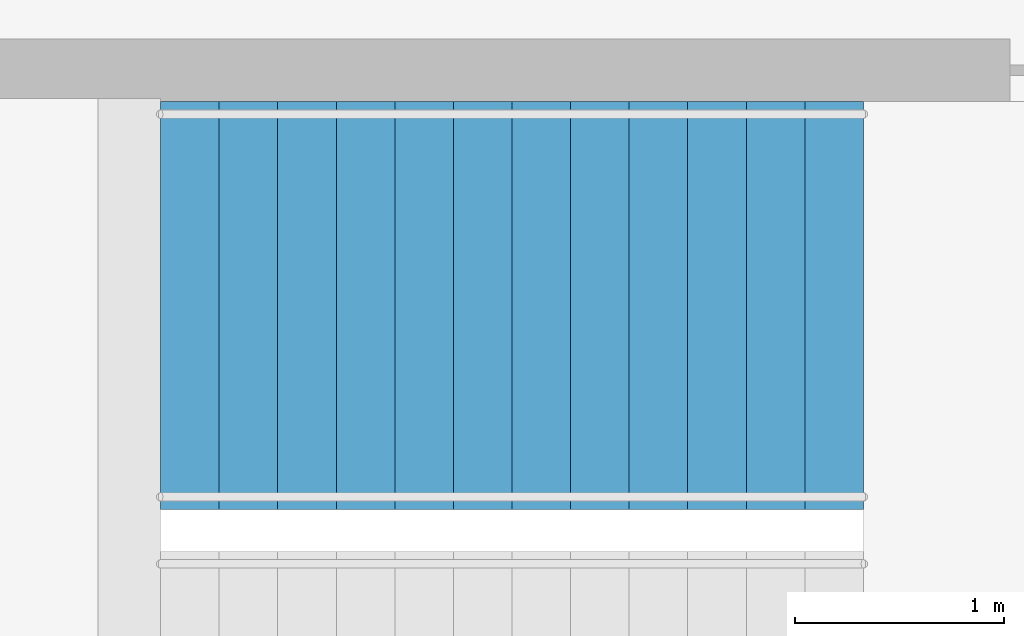
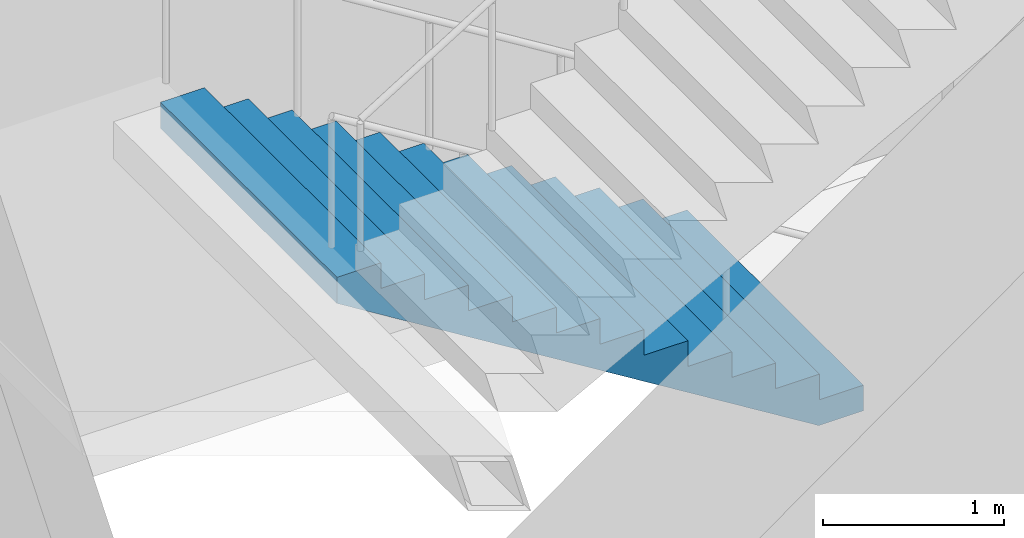
# One storey, part 20 of 21: 1 stair flight, 1 element without a shape of its own.
"""IFC4 building model written with IfcOpenShell, lengths in metres."""

from ifc_helpers import new_model, si_unit, direction, frame, origin, place, context, subcontext, project, spatial, triangles, material, type_object, element, aggregate, save


model = new_model("IFC4")

# Units and contexts
model_context = context("Model", 3, precision=1e-05, world=origin(), true_north=direction((0.0, 1.0)))
body_context = subcontext(model_context, "Body", "Model", "MODEL_VIEW")
ifc_project = project(units=[si_unit("LENGTHUNIT", "METRE"), si_unit("AREAUNIT", "SQUARE_METRE"), si_unit("VOLUMEUNIT", "CUBIC_METRE"), si_unit("PLANEANGLEUNIT", "RADIAN"), si_unit("MASSUNIT", "GRAM", prefix="KILO")], contexts=[model_context])

# Site, building, storey
site_placement = place(None, origin())
site = spatial("IfcSite", under=ifc_project, at=site_placement, CompositionType="ELEMENT")
building_placement = place(site_placement, origin())
building = spatial("IfcBuilding", under=site, at=building_placement, Name="Orbita Commons", CompositionType="ELEMENT")
storey_placement = place(building_placement, frame((0.0, 0.0, 257.800048828125)))
storey = spatial("IfcBuildingStorey", under=building, at=storey_placement, Name="L64", CompositionType="ELEMENT", Elevation=257.800048828125)

# Stair, stair flight
ifc_material_1 = material(Name="Precast concrete C40/50", Category="concrete")
stair_type = type_object("IfcStairType", Name="Exit stair S2 2 flights 13 risers 173", PredefinedType="HALF_TURN_STAIR", material=ifc_material_1)
stair_placement = place(storey_placement, origin())
stair = element("IfcStair", 1, at=stair_placement, inside=storey, type_object=stair_type, Name="Exit stair S2 L64", PredefinedType="HALF_TURN_STAIR")
ifc_material_2 = material(Name="Precast concrete C40/50", Category="concrete")
stair_flight_type = type_object("IfcStairFlightType", Name="Stair flight 13 risers 173 x 280", PredefinedType="STRAIGHT", material=ifc_material_2)
stair_flight_placement = place(storey_placement, frame((63.550048828125, 29.27490234375, 0.0), z_axis=(0.0, 0.0, 1.0), x_axis=(-1.0, 0.0, 0.0)))
stair_flight = element("IfcStairFlight", 2, at=stair_flight_placement, type_object=stair_flight_type, Name="S2 flight 1", NumberOfRisers=13, NumberOfTreads=12, PredefinedType="STRAIGHT", RiserHeight=0.173076923, TreadLength=0.28, context=body_context, shape_type="Tessellation", body=[
    triangles([(0.0, 0.974976, 0.0), (0.0, 0.974976, 0.021635), (0.0, 0.81248, 0.021635), (0.0, 0.81248, 0.0), (0.0, 0.649984, 0.021635), (0.0, 0.649984, 0.0), (0.0, 0.487488, 0.021635), (0.0, 0.487488, 0.0), (0.0, 0.324992, 0.021635), (0.0, 0.324992, 0.0), (0.0, 0.162496, 0.021635), (0.0, 0.162496, 0.0), (0.0, 0.0, 0.021635), (0.0, 0.0, 0.0), (0.0, -0.162496, 0.021635), (0.0, -0.162496, 0.0), (0.0, -0.324992, 0.021635), (0.0, -0.324992, 0.0), (0.0, -0.487488, 0.021635), (0.0, -0.487488, 0.0), (0.0, -0.649984, 0.021635), (0.0, -0.649984, 0.0), (0.0, -0.81248, 0.021635), (0.0, -0.81248, 0.0), (0.0, -0.974976, 0.021635), (0.0, -0.974976, 0.0), (0.0, 0.974976, 0.043269), (0.0, 0.81248, 0.043269), (0.0, 0.649984, 0.043269), (0.0, 0.487488, 0.043269), (0.0, 0.324992, 0.043269), (0.0, 0.162496, 0.043269), (0.0, 0.0, 0.043269), (0.0, -0.162496, 0.043269), (0.0, -0.324992, 0.043269), (0.0, -0.487488, 0.043269), (0.0, -0.649984, 0.043269), (0.0, -0.81248, 0.043269), (0.0, -0.974976, 0.043269), (0.0, 0.974976, 0.064904), (0.0, 0.81248, 0.064904), (0.0, 0.649984, 0.064904), (0.0, 0.487488, 0.064904), (0.0, 0.324992, 0.064904), (0.0, 0.162496, 0.064904), (0.0, 0.0, 0.064904), (0.0, -0.162496, 0.064904), (0.0, -0.324992, 0.064904), (0.0, -0.487488, 0.064904), (0.0, -0.649984, 0.064904), (0.0, -0.81248, 0.064904), (0.0, -0.974976, 0.064904), (0.0, 0.974976, 0.086538), (0.0, 0.81248, 0.086538), (0.0, 0.649984, 0.086538), (0.0, 0.487488, 0.086538), (0.0, 0.324992, 0.086538), (0.0, 0.162496, 0.086538), (0.0, 0.0, 0.086538), (0.0, -0.162496, 0.086538), (0.0, -0.324992, 0.086538), (0.0, -0.487488, 0.086538), (0.0, -0.649984, 0.086538), (0.0, -0.81248, 0.086538), (0.0, -0.974976, 0.086538), (0.0, 0.974976, 0.108173), (0.0, 0.81248, 0.108173), (0.0, 0.649984, 0.108173), (0.0, 0.487488, 0.108173), (0.0, 0.324992, 0.108173), (0.0, 0.162496, 0.108173), (0.0, 0.0, 0.108173), (0.0, -0.162496, 0.108173), (0.0, -0.324992, 0.108173), (0.0, -0.487488, 0.108173), (0.0, -0.649984, 0.108173), (0.0, -0.81248, 0.108173), (0.0, -0.974976, 0.108173), (0.0, 0.974976, 0.129808), (0.0, 0.81248, 0.129808), (0.0, 0.649984, 0.129808), (0.0, 0.487488, 0.129808), (0.0, 0.324992, 0.129808), (0.0, 0.162496, 0.129808), (0.0, 0.0, 0.129808), (0.0, -0.162496, 0.129808), (0.0, -0.324992, 0.129808), (0.0, -0.487488, 0.129808), (0.0, -0.649984, 0.129808), (0.0, -0.81248, 0.129808), (0.0, -0.974976, 0.129808), (0.0, 0.974976, 0.151442), (0.0, 0.81248, 0.151442), (0.0, 0.649984, 0.151442), (0.0, 0.487488, 0.151442), (0.0, 0.324992, 0.151442), (0.0, 0.162496, 0.151442), (0.0, 0.0, 0.151442), (0.0, -0.162496, 0.151442), (0.0, -0.324992, 0.151442), (0.0, -0.487488, 0.151442), (0.0, -0.649984, 0.151442), (0.0, -0.81248, 0.151442), (0.0, -0.974976, 0.151442), (0.0, 0.974976, 0.173077), (0.0, 0.81248, 0.173077), (0.0, 0.649984, 0.173077), (0.0, 0.487488, 0.173077), (0.0, 0.324992, 0.173077), (0.0, 0.162496, 0.173077), (0.0, 0.0, 0.173077), (0.0, -0.162496, 0.173077), (0.0, -0.324992, 0.173077), (0.0, -0.487488, 0.173077), (0.0, -0.649984, 0.173077), (0.0, -0.81248, 0.173077), (0.0, -0.974976, 0.173077), (0.28, 0.974976, 0.173077), (0.28, 0.81248, 0.173077), (0.28, 0.649984, 0.173077), (0.28, 0.487488, 0.173077), (0.28, 0.324992, 0.173077), (0.28, 0.162496, 0.173077), (0.28, 0.0, 0.173077), (0.28, -0.162496, 0.173077), (0.28, -0.324992, 0.173077), (0.28, -0.487488, 0.173077), (0.28, -0.649984, 0.173077), (0.28, -0.81248, 0.173077), (0.28, -0.974976, 0.173077), (0.28, 0.974976, 0.346154), (0.28, 0.81248, 0.346154), (0.28, 0.649984, 0.346154), (0.28, 0.487488, 0.346154), (0.28, 0.324992, 0.346154), (0.28, 0.162496, 0.346154), (0.28, 0.0, 0.346154), (0.28, -0.162496, 0.346154), (0.28, -0.324992, 0.346154), (0.28, -0.487488, 0.346154), (0.28, -0.649984, 0.346154), (0.28, -0.81248, 0.346154), (0.28, -0.974976, 0.346154), (0.56, 0.974976, 0.346154), (0.56, 0.81248, 0.346154), (0.56, 0.649984, 0.346154), (0.56, 0.487488, 0.346154), (0.56, 0.324992, 0.346154), (0.56, 0.162496, 0.346154), (0.56, 0.0, 0.346154), (0.56, -0.162496, 0.346154), (0.56, -0.324992, 0.346154), (0.56, -0.487488, 0.346154), (0.56, -0.649984, 0.346154), (0.56, -0.81248, 0.346154), (0.56, -0.974976, 0.346154), (0.56, 0.974976, 0.519231), (0.56, 0.81248, 0.519231), (0.56, 0.649984, 0.519231), (0.56, 0.487488, 0.519231), (0.56, 0.324992, 0.519231), (0.56, 0.162496, 0.519231), (0.56, 0.0, 0.519231), (0.56, -0.162496, 0.519231), (0.56, -0.324992, 0.519231), (0.56, -0.487488, 0.519231), (0.56, -0.649984, 0.519231), (0.56, -0.81248, 0.519231), (0.56, -0.974976, 0.519231), (0.84, 0.974976, 0.519231), (0.84, 0.81248, 0.519231), (0.84, 0.649984, 0.519231), (0.84, 0.487488, 0.519231), (0.84, 0.324992, 0.519231), (0.84, 0.162496, 0.519231), (0.84, 0.0, 0.519231), (0.84, -0.162496, 0.519231), (0.84, -0.324992, 0.519231), (0.84, -0.487488, 0.519231), (0.84, -0.649984, 0.519231), (0.84, -0.81248, 0.519231), (0.84, -0.974976, 0.519231), (0.84, 0.974976, 0.692308), (0.84, 0.81248, 0.692308), (0.84, 0.649984, 0.692308), (0.84, 0.487488, 0.692308), (0.84, 0.324992, 0.692308), (0.84, 0.162496, 0.692308), (0.84, 0.0, 0.692308), (0.84, -0.162496, 0.692308), (0.84, -0.324992, 0.692308), (0.84, -0.487488, 0.692308), (0.84, -0.649984, 0.692308), (0.84, -0.81248, 0.692308), (0.84, -0.974976, 0.692308), (1.12, 0.974976, 0.692308), (1.12, 0.81248, 0.692308), (1.12, 0.649984, 0.692308), (1.12, 0.487488, 0.692308), (1.12, 0.324992, 0.692308), (1.12, 0.162496, 0.692308), (1.12, 0.0, 0.692308), (1.12, -0.162496, 0.692308), (1.12, -0.324992, 0.692308), (1.12, -0.487488, 0.692308), (1.12, -0.649984, 0.692308), (1.12, -0.81248, 0.692308), (1.12, -0.974976, 0.692308), (1.12, 0.974976, 0.865385), (1.12, 0.81248, 0.865385), (1.12, 0.649984, 0.865385), (1.12, 0.487488, 0.865385), (1.12, 0.324992, 0.865385), (1.12, 0.162496, 0.865385), (1.12, 0.0, 0.865385), (1.12, -0.162496, 0.865385), (1.12, -0.324992, 0.865385), (1.12, -0.487488, 0.865385), (1.12, -0.649984, 0.865385), (1.12, -0.81248, 0.865385), (1.12, -0.974976, 0.865385), (1.4, 0.974976, 0.865385), (1.4, 0.81248, 0.865385), (1.4, 0.649984, 0.865385), (1.4, 0.487488, 0.865385), (1.4, 0.324992, 0.865385), (1.4, 0.162496, 0.865385), (1.4, 0.0, 0.865385), (1.4, -0.162496, 0.865385), (1.4, -0.324992, 0.865385), (1.4, -0.487488, 0.865385), (1.4, -0.649984, 0.865385), (1.4, -0.81248, 0.865385), (1.4, -0.974976, 0.865385), (1.4, 0.974976, 1.038462), (1.4, 0.81248, 1.038462), (1.4, 0.649984, 1.038462), (1.4, 0.487488, 1.038462), (1.4, 0.324992, 1.038462), (1.4, 0.162496, 1.038462), (1.4, 0.0, 1.038462), (1.4, -0.162496, 1.038462), (1.4, -0.324992, 1.038462), (1.4, -0.487488, 1.038462), (1.4, -0.649984, 1.038462), (1.4, -0.81248, 1.038462), (1.4, -0.974976, 1.038462), (1.68, 0.974976, 1.038462), (1.68, 0.81248, 1.038462), (1.68, 0.649984, 1.038462), (1.68, 0.487488, 1.038462), (1.68, 0.324992, 1.038462), (1.68, 0.162496, 1.038462), (1.68, 0.0, 1.038462), (1.68, -0.162496, 1.038462), (1.68, -0.324992, 1.038462), (1.68, -0.487488, 1.038462), (1.68, -0.649984, 1.038462), (1.68, -0.81248, 1.038462), (1.68, -0.974976, 1.038462), (1.68, 0.974976, 1.211538), (1.68, 0.81248, 1.211538), (1.68, 0.649984, 1.211538), (1.68, 0.487488, 1.211538), (1.68, 0.324992, 1.211538), (1.68, 0.162496, 1.211538), (1.68, 0.0, 1.211538), (1.68, -0.162496, 1.211538), (1.68, -0.324992, 1.211538), (1.68, -0.487488, 1.211538), (1.68, -0.649984, 1.211538), (1.68, -0.81248, 1.211538), (1.68, -0.974976, 1.211538), (1.96, 0.974976, 1.211538), (1.96, 0.81248, 1.211538), (1.96, 0.649984, 1.211538), (1.96, 0.487488, 1.211538), (1.96, 0.324992, 1.211538), (1.96, 0.162496, 1.211538), (1.96, 0.0, 1.211538), (1.96, -0.162496, 1.211538), (1.96, -0.324992, 1.211538), (1.96, -0.487488, 1.211538), (1.96, -0.649984, 1.211538), (1.96, -0.81248, 1.211538), (1.96, -0.974976, 1.211538), (1.96, 0.974976, 1.384615), (1.96, 0.81248, 1.384615), (1.96, 0.649984, 1.384615), (1.96, 0.487488, 1.384615), (1.96, 0.324992, 1.384615), (1.96, 0.162496, 1.384615), (1.96, 0.0, 1.384615), (1.96, -0.162496, 1.384615), (1.96, -0.324992, 1.384615), (1.96, -0.487488, 1.384615), (1.96, -0.649984, 1.384615), (1.96, -0.81248, 1.384615), (1.96, -0.974976, 1.384615), (2.24, 0.974976, 1.384615), (2.24, 0.81248, 1.384615), (2.24, 0.649984, 1.384615), (2.24, 0.487488, 1.384615), (2.24, 0.324992, 1.384615), (2.24, 0.162496, 1.384615), (2.24, 0.0, 1.384615), (2.24, -0.162496, 1.384615), (2.24, -0.324992, 1.384615), (2.24, -0.487488, 1.384615), (2.24, -0.649984, 1.384615), (2.24, -0.81248, 1.384615), (2.24, -0.974976, 1.384615), (2.24, 0.974976, 1.557692), (2.24, 0.81248, 1.557692), (2.24, 0.649984, 1.557692), (2.24, 0.487488, 1.557692), (2.24, 0.324992, 1.557692), (2.24, 0.162496, 1.557692), (2.24, 0.0, 1.557692), (2.24, -0.162496, 1.557692), (2.24, -0.324992, 1.557692), (2.24, -0.487488, 1.557692), (2.24, -0.649984, 1.557692), (2.24, -0.81248, 1.557692), (2.24, -0.974976, 1.557692), (2.52, 0.974976, 1.557692), (2.52, 0.81248, 1.557692), (2.52, 0.649984, 1.557692), (2.52, 0.487488, 1.557692), (2.52, 0.324992, 1.557692), (2.52, 0.162496, 1.557692), (2.52, 0.0, 1.557692), (2.52, -0.162496, 1.557692), (2.52, -0.324992, 1.557692), (2.52, -0.487488, 1.557692), (2.52, -0.649984, 1.557692), (2.52, -0.81248, 1.557692), (2.52, -0.974976, 1.557692), (2.52, 0.974976, 1.730769), (2.52, 0.81248, 1.730769), (2.52, 0.649984, 1.730769), (2.52, 0.487488, 1.730769), (2.52, 0.324992, 1.730769), (2.52, 0.162496, 1.730769), (2.52, 0.0, 1.730769), (2.52, -0.162496, 1.730769), (2.52, -0.324992, 1.730769), (2.52, -0.487488, 1.730769), (2.52, -0.649984, 1.730769), (2.52, -0.81248, 1.730769), (2.52, -0.974976, 1.730769), (2.8, 0.974976, 1.730769), (2.8, 0.81248, 1.730769), (2.8, 0.649984, 1.730769), (2.8, 0.487488, 1.730769), (2.8, 0.324992, 1.730769), (2.8, 0.162496, 1.730769), (2.8, 0.0, 1.730769), (2.8, -0.162496, 1.730769), (2.8, -0.324992, 1.730769), (2.8, -0.487488, 1.730769), (2.8, -0.649984, 1.730769), (2.8, -0.81248, 1.730769), (2.8, -0.974976, 1.730769), (2.8, 0.974976, 1.903846), (2.8, 0.81248, 1.903846), (2.8, 0.649984, 1.903846), (2.8, 0.487488, 1.903846), (2.8, 0.324992, 1.903846), (2.8, 0.162496, 1.903846), (2.8, 0.0, 1.903846), (2.8, -0.162496, 1.903846), (2.8, -0.324992, 1.903846), (2.8, -0.487488, 1.903846), (2.8, -0.649984, 1.903846), (2.8, -0.81248, 1.903846), (2.8, -0.974976, 1.903846), (3.08, 0.974976, 1.903846), (3.08, 0.81248, 1.903846), (3.08, 0.649984, 1.903846), (3.08, 0.487488, 1.903846), (3.08, 0.324992, 1.903846), (3.08, 0.162496, 1.903846), (3.08, 0.0, 1.903846), (3.08, -0.162496, 1.903846), (3.08, -0.324992, 1.903846), (3.08, -0.487488, 1.903846), (3.08, -0.649984, 1.903846), (3.08, -0.81248, 1.903846), (3.08, -0.974976, 1.903846), (3.08, 0.974976, 2.076923), (3.08, 0.81248, 2.076923), (3.08, 0.649984, 2.076923), (3.08, 0.487488, 2.076923), (3.08, 0.324992, 2.076923), (3.08, 0.162496, 2.076923), (3.08, 0.0, 2.076923), (3.08, -0.162496, 2.076923), (3.08, -0.324992, 2.076923), (3.08, -0.487488, 2.076923), (3.08, -0.649984, 2.076923), (3.08, -0.81248, 2.076923), (3.08, -0.974976, 2.076923), (3.36, 0.974976, 2.076923), (3.36, 0.81248, 2.076923), (3.36, 0.649984, 2.076923), (3.36, 0.487488, 2.076923), (3.36, 0.324992, 2.076923), (3.36, 0.162496, 2.076923), (3.36, 0.0, 2.076923), (3.36, -0.162496, 2.076923), (3.36, -0.324992, 2.076923), (3.36, -0.487488, 2.076923), (3.36, -0.649984, 2.076923), (3.36, -0.81248, 2.076923), (3.36, -0.974976, 2.076923), (3.36, 0.974976, 2.054895), (3.36, 0.81248, 2.054895), (3.36, 0.649984, 2.054895), (3.36, 0.487488, 2.054895), (3.36, 0.324992, 2.054895), (3.36, 0.162496, 2.054895), (3.36, 0.0, 2.054895), (3.36, -0.162496, 2.054895), (3.36, -0.324992, 2.054895), (3.36, -0.487488, 2.054895), (3.36, -0.649984, 2.054895), (3.36, -0.81248, 2.054895), (3.36, -0.974976, 2.054895), (3.36, 0.974976, 2.032866), (3.36, 0.81248, 2.032866), (3.36, 0.649984, 2.032866), (3.36, 0.487488, 2.032866), (3.36, 0.324992, 2.032866), (3.36, 0.162496, 2.032866), (3.36, 0.0, 2.032866), (3.36, -0.162496, 2.032866), (3.36, -0.324992, 2.032866), (3.36, -0.487488, 2.032866), (3.36, -0.649984, 2.032866), (3.36, -0.81248, 2.032866), (3.36, -0.974976, 2.032866), (3.36, 0.974976, 2.010837), (3.36, 0.81248, 2.010837), (3.36, 0.649984, 2.010837), (3.36, 0.487488, 2.010837), (3.36, 0.324992, 2.010837), (3.36, 0.162496, 2.010837), (3.36, 0.0, 2.010837), (3.36, -0.162496, 2.010837), (3.36, -0.324992, 2.010837), (3.36, -0.487488, 2.010837), (3.36, -0.649984, 2.010837), (3.36, -0.81248, 2.010837), (3.36, -0.974976, 2.010837), (3.36, 0.974976, 1.988809), (3.36, 0.81248, 1.988809), (3.36, 0.649984, 1.988809), (3.36, 0.487488, 1.988809), (3.36, 0.324992, 1.988809), (3.36, 0.162496, 1.988809), (3.36, 0.0, 1.988809), (3.36, -0.162496, 1.988809), (3.36, -0.324992, 1.988809), (3.36, -0.487488, 1.988809), (3.36, -0.649984, 1.988809), (3.36, -0.81248, 1.988809), (3.36, -0.974976, 1.988809), (3.36, 0.974976, 1.96678), (3.36, 0.81248, 1.96678), (3.36, 0.649984, 1.96678), (3.36, 0.487488, 1.96678), (3.36, 0.324992, 1.96678), (3.36, 0.162496, 1.96678), (3.36, 0.0, 1.96678), (3.36, -0.162496, 1.96678), (3.36, -0.324992, 1.96678), (3.36, -0.487488, 1.96678), (3.36, -0.649984, 1.96678), (3.36, -0.81248, 1.96678), (3.36, -0.974976, 1.96678), (3.36, 0.974976, 1.944752), (3.36, 0.81248, 1.944752), (3.36, 0.649984, 1.944752), (3.36, 0.487488, 1.944752), (3.36, 0.324992, 1.944752), (3.36, 0.162496, 1.944752), (3.36, 0.0, 1.944752), (3.36, -0.162496, 1.944752), (3.36, -0.324992, 1.944752), (3.36, -0.487488, 1.944752), (3.36, -0.649984, 1.944752), (3.36, -0.81248, 1.944752), (3.36, -0.974976, 1.944752), (3.36, 0.974976, 1.922723), (3.36, 0.81248, 1.922723), (3.36, 0.649984, 1.922723), (3.36, 0.487488, 1.922723), (3.36, 0.324992, 1.922723), (3.36, 0.162496, 1.922723), (3.36, 0.0, 1.922723), (3.36, -0.162496, 1.922723), (3.36, -0.324992, 1.922723), (3.36, -0.487488, 1.922723), (3.36, -0.649984, 1.922723), (3.36, -0.81248, 1.922723), (3.36, -0.974976, 1.922723), (3.36, 0.974976, 1.900695), (3.36, 0.81248, 1.900695), (3.36, 0.649984, 1.900695), (3.36, 0.487488, 1.900695), (3.36, 0.324992, 1.900695), (3.36, 0.162496, 1.900695), (3.36, 0.0, 1.900695), (3.36, -0.162496, 1.900695), (3.36, -0.324992, 1.900695), (3.36, -0.487488, 1.900695), (3.36, -0.649984, 1.900695), (3.36, -0.81248, 1.900695), (3.36, -0.974976, 1.900695), (0.285099, 0.974976, 0.0), (0.285099, 0.81248, 0.0), (0.285099, 0.649984, 0.0), (0.285099, 0.487488, 0.0), (0.285099, 0.324992, 0.0), (0.285099, 0.162496, 0.0), (0.285099, 0.0, 0.0), (0.285099, -0.162496, 0.0), (0.285099, -0.324992, 0.0), (0.285099, -0.487488, 0.0), (0.285099, -0.649984, 0.0), (0.285099, -0.81248, 0.0), (0.285099, -0.974976, 0.0)], [[3, 2, 1], [4, 3, 1], [5, 3, 4], [6, 5, 4], [7, 5, 6], [8, 7, 6], [9, 7, 8], [10, 9, 8], [11, 9, 10], [12, 11, 10], [13, 11, 12], [14, 13, 12], [15, 13, 14], [16, 15, 14], [17, 15, 16], [18, 17, 16], [19, 17, 18], [20, 19, 18], [21, 19, 20], [22, 21, 20], [23, 21, 22], [24, 23, 22], [25, 23, 24], [26, 25, 24], [28, 27, 2], [3, 28, 2], [29, 28, 3], [5, 29, 3], [30, 29, 5], [7, 30, 5], [31, 30, 7], [9, 31, 7], [32, 31, 9], [11, 32, 9], [33, 32, 11], [13, 33, 11], [34, 33, 13], [15, 34, 13], [35, 34, 15], [17, 35, 15], [36, 35, 17], [19, 36, 17], [37, 36, 19], [21, 37, 19], [38, 37, 21], [23, 38, 21], [39, 38, 23], [25, 39, 23], [41, 40, 27], [28, 41, 27], [42, 41, 28], [29, 42, 28], [43, 42, 29], [30, 43, 29], [44, 43, 30], [31, 44, 30], [45, 44, 31], [32, 45, 31], [46, 45, 32], [33, 46, 32], [47, 46, 33], [34, 47, 33], [48, 47, 34], [35, 48, 34], [49, 48, 35], [36, 49, 35], [50, 49, 36], [37, 50, 36], [51, 50, 37], [38, 51, 37], [52, 51, 38], [39, 52, 38], [54, 53, 40], [41, 54, 40], [55, 54, 41], [42, 55, 41], [56, 55, 42], [43, 56, 42], [57, 56, 43], [44, 57, 43], [58, 57, 44], [45, 58, 44], [59, 58, 45], [46, 59, 45], [60, 59, 46], [47, 60, 46], [61, 60, 47], [48, 61, 47], [62, 61, 48], [49, 62, 48], [63, 62, 49], [50, 63, 49], [64, 63, 50], [51, 64, 50], [65, 64, 51], [52, 65, 51], [67, 66, 53], [54, 67, 53], [68, 67, 54], [55, 68, 54], [69, 68, 55], [56, 69, 55], [70, 69, 56], [57, 70, 56], [71, 70, 57], [58, 71, 57], [72, 71, 58], [59, 72, 58], [73, 72, 59], [60, 73, 59], [74, 73, 60], [61, 74, 60], [75, 74, 61], [62, 75, 61], [76, 75, 62], [63, 76, 62], [77, 76, 63], [64, 77, 63], [78, 77, 64], [65, 78, 64], [80, 79, 66], [67, 80, 66], [81, 80, 67], [68, 81, 67], [82, 81, 68], [69, 82, 68], [83, 82, 69], [70, 83, 69], [84, 83, 70], [71, 84, 70], [85, 84, 71], [72, 85, 71], [86, 85, 72], [73, 86, 72], [87, 86, 73], [74, 87, 73], [88, 87, 74], [75, 88, 74], [89, 88, 75], [76, 89, 75], [90, 89, 76], [77, 90, 76], [91, 90, 77], [78, 91, 77], [93, 92, 79], [80, 93, 79], [94, 93, 80], [81, 94, 80], [95, 94, 81], [82, 95, 81], [96, 95, 82], [83, 96, 82], [97, 96, 83], [84, 97, 83], [98, 97, 84], [85, 98, 84], [99, 98, 85], [86, 99, 85], [100, 99, 86], [87, 100, 86], [101, 100, 87], [88, 101, 87], [102, 101, 88], [89, 102, 88], [103, 102, 89], [90, 103, 89], [104, 103, 90], [91, 104, 90], [106, 105, 92], [93, 106, 92], [107, 106, 93], [94, 107, 93], [108, 107, 94], [95, 108, 94], [109, 108, 95], [96, 109, 95], [110, 109, 96], [97, 110, 96], [111, 110, 97], [98, 111, 97], [112, 111, 98], [99, 112, 98], [113, 112, 99], [100, 113, 99], [114, 113, 100], [101, 114, 100], [115, 114, 101], [102, 115, 101], [116, 115, 102], [103, 116, 102], [117, 116, 103], [104, 117, 103], [119, 118, 105], [106, 119, 105], [120, 119, 106], [107, 120, 106], [121, 120, 107], [108, 121, 107], [122, 121, 108], [109, 122, 108], [123, 122, 109], [110, 123, 109], [124, 123, 110], [111, 124, 110], [125, 124, 111], [112, 125, 111], [126, 125, 112], [113, 126, 112], [127, 126, 113], [114, 127, 113], [128, 127, 114], [115, 128, 114], [129, 128, 115], [116, 129, 115], [130, 129, 116], [117, 130, 116], [132, 131, 118], [119, 132, 118], [133, 132, 119], [120, 133, 119], [134, 133, 120], [121, 134, 120], [135, 134, 121], [122, 135, 121], [136, 135, 122], [123, 136, 122], [137, 136, 123], [124, 137, 123], [138, 137, 124], [125, 138, 124], [139, 138, 125], [126, 139, 125], [140, 139, 126], [127, 140, 126], [141, 140, 127], [128, 141, 127], [142, 141, 128], [129, 142, 128], [143, 142, 129], [130, 143, 129], [145, 144, 131], [132, 145, 131], [146, 145, 132], [133, 146, 132], [147, 146, 133], [134, 147, 133], [148, 147, 134], [135, 148, 134], [149, 148, 135], [136, 149, 135], [150, 149, 136], [137, 150, 136], [151, 150, 137], [138, 151, 137], [152, 151, 138], [139, 152, 138], [153, 152, 139], [140, 153, 139], [154, 153, 140], [141, 154, 140], [155, 154, 141], [142, 155, 141], [156, 155, 142], [143, 156, 142], [158, 157, 144], [145, 158, 144], [159, 158, 145], [146, 159, 145], [160, 159, 146], [147, 160, 146], [161, 160, 147], [148, 161, 147], [162, 161, 148], [149, 162, 148], [163, 162, 149], [150, 163, 149], [164, 163, 150], [151, 164, 150], [165, 164, 151], [152, 165, 151], [166, 165, 152], [153, 166, 152], [167, 166, 153], [154, 167, 153], [168, 167, 154], [155, 168, 154], [169, 168, 155], [156, 169, 155], [171, 170, 157], [158, 171, 157], [172, 171, 158], [159, 172, 158], [173, 172, 159], [160, 173, 159], [174, 173, 160], [161, 174, 160], [175, 174, 161], [162, 175, 161], [176, 175, 162], [163, 176, 162], [177, 176, 163], [164, 177, 163], [178, 177, 164], [165, 178, 164], [179, 178, 165], [166, 179, 165], [180, 179, 166], [167, 180, 166], [181, 180, 167], [168, 181, 167], [182, 181, 168], [169, 182, 168], [184, 183, 170], [171, 184, 170], [185, 184, 171], [172, 185, 171], [186, 185, 172], [173, 186, 172], [187, 186, 173], [174, 187, 173], [188, 187, 174], [175, 188, 174], [189, 188, 175], [176, 189, 175], [190, 189, 176], [177, 190, 176], [191, 190, 177], [178, 191, 177], [192, 191, 178], [179, 192, 178], [193, 192, 179], [180, 193, 179], [194, 193, 180], [181, 194, 180], [195, 194, 181], [182, 195, 181], [197, 196, 183], [184, 197, 183], [198, 197, 184], [185, 198, 184], [199, 198, 185], [186, 199, 185], [200, 199, 186], [187, 200, 186], [201, 200, 187], [188, 201, 187], [202, 201, 188], [189, 202, 188], [203, 202, 189], [190, 203, 189], [204, 203, 190], [191, 204, 190], [205, 204, 191], [192, 205, 191], [206, 205, 192], [193, 206, 192], [207, 206, 193], [194, 207, 193], [208, 207, 194], [195, 208, 194], [210, 209, 196], [197, 210, 196], [211, 210, 197], [198, 211, 197], [212, 211, 198], [199, 212, 198], [213, 212, 199], [200, 213, 199], [214, 213, 200], [201, 214, 200], [215, 214, 201], [202, 215, 201], [216, 215, 202], [203, 216, 202], [217, 216, 203], [204, 217, 203], [218, 217, 204], [205, 218, 204], [219, 218, 205], [206, 219, 205], [220, 219, 206], [207, 220, 206], [221, 220, 207], [208, 221, 207], [223, 222, 209], [210, 223, 209], [224, 223, 210], [211, 224, 210], [225, 224, 211], [212, 225, 211], [226, 225, 212], [213, 226, 212], [227, 226, 213], [214, 227, 213], [228, 227, 214], [215, 228, 214], [229, 228, 215], [216, 229, 215], [230, 229, 216], [217, 230, 216], [231, 230, 217], [218, 231, 217], [232, 231, 218], [219, 232, 218], [233, 232, 219], [220, 233, 219], [234, 233, 220], [221, 234, 220], [236, 235, 222], [223, 236, 222], [237, 236, 223], [224, 237, 223], [238, 237, 224], [225, 238, 224], [239, 238, 225], [226, 239, 225], [240, 239, 226], [227, 240, 226], [241, 240, 227], [228, 241, 227], [242, 241, 228], [229, 242, 228], [243, 242, 229], [230, 243, 229], [244, 243, 230], [231, 244, 230], [245, 244, 231], [232, 245, 231], [246, 245, 232], [233, 246, 232], [247, 246, 233], [234, 247, 233], [249, 248, 235], [236, 249, 235], [250, 249, 236], [237, 250, 236], [251, 250, 237], [238, 251, 237], [252, 251, 238], [239, 252, 238], [253, 252, 239], [240, 253, 239], [254, 253, 240], [241, 254, 240], [255, 254, 241], [242, 255, 241], [256, 255, 242], [243, 256, 242], [257, 256, 243], [244, 257, 243], [258, 257, 244], [245, 258, 244], [259, 258, 245], [246, 259, 245], [260, 259, 246], [247, 260, 246], [262, 261, 248], [249, 262, 248], [263, 262, 249], [250, 263, 249], [264, 263, 250], [251, 264, 250], [265, 264, 251], [252, 265, 251], [266, 265, 252], [253, 266, 252], [267, 266, 253], [254, 267, 253], [268, 267, 254], [255, 268, 254], [269, 268, 255], [256, 269, 255], [270, 269, 256], [257, 270, 256], [271, 270, 257], [258, 271, 257], [272, 271, 258], [259, 272, 258], [273, 272, 259], [260, 273, 259], [275, 274, 261], [262, 275, 261], [276, 275, 262], [263, 276, 262], [277, 276, 263], [264, 277, 263], [278, 277, 264], [265, 278, 264], [279, 278, 265], [266, 279, 265], [280, 279, 266], [267, 280, 266], [281, 280, 267], [268, 281, 267], [282, 281, 268], [269, 282, 268], [283, 282, 269], [270, 283, 269], [284, 283, 270], [271, 284, 270], [285, 284, 271], [272, 285, 271], [286, 285, 272], [273, 286, 272], [288, 287, 274], [275, 288, 274], [289, 288, 275], [276, 289, 275], [290, 289, 276], [277, 290, 276], [291, 290, 277], [278, 291, 277], [292, 291, 278], [279, 292, 278], [293, 292, 279], [280, 293, 279], [294, 293, 280], [281, 294, 280], [295, 294, 281], [282, 295, 281], [296, 295, 282], [283, 296, 282], [297, 296, 283], [284, 297, 283], [298, 297, 284], [285, 298, 284], [299, 298, 285], [286, 299, 285], [301, 300, 287], [288, 301, 287], [302, 301, 288], [289, 302, 288], [303, 302, 289], [290, 303, 289], [304, 303, 290], [291, 304, 290], [305, 304, 291], [292, 305, 291], [306, 305, 292], [293, 306, 292], [307, 306, 293], [294, 307, 293], [308, 307, 294], [295, 308, 294], [309, 308, 295], [296, 309, 295], [310, 309, 296], [297, 310, 296], [311, 310, 297], [298, 311, 297], [312, 311, 298], [299, 312, 298], [314, 313, 300], [301, 314, 300], [315, 314, 301], [302, 315, 301], [316, 315, 302], [303, 316, 302], [317, 316, 303], [304, 317, 303], [318, 317, 304], [305, 318, 304], [319, 318, 305], [306, 319, 305], [320, 319, 306], [307, 320, 306], [321, 320, 307], [308, 321, 307], [322, 321, 308], [309, 322, 308], [323, 322, 309], [310, 323, 309], [324, 323, 310], [311, 324, 310], [325, 324, 311], [312, 325, 311], [327, 326, 313], [314, 327, 313], [328, 327, 314], [315, 328, 314], [329, 328, 315], [316, 329, 315], [330, 329, 316], [317, 330, 316], [331, 330, 317], [318, 331, 317], [332, 331, 318], [319, 332, 318], [333, 332, 319], [320, 333, 319], [334, 333, 320], [321, 334, 320], [335, 334, 321], [322, 335, 321], [336, 335, 322], [323, 336, 322], [337, 336, 323], [324, 337, 323], [338, 337, 324], [325, 338, 324], [340, 339, 326], [327, 340, 326], [341, 340, 327], [328, 341, 327], [342, 341, 328], [329, 342, 328], [343, 342, 329], [330, 343, 329], [344, 343, 330], [331, 344, 330], [345, 344, 331], [332, 345, 331], [346, 345, 332], [333, 346, 332], [347, 346, 333], [334, 347, 333], [348, 347, 334], [335, 348, 334], [349, 348, 335], [336, 349, 335], [350, 349, 336], [337, 350, 336], [351, 350, 337], [338, 351, 337], [353, 352, 339], [340, 353, 339], [354, 353, 340], [341, 354, 340], [355, 354, 341], [342, 355, 341], [356, 355, 342], [343, 356, 342], [357, 356, 343], [344, 357, 343], [358, 357, 344], [345, 358, 344], [359, 358, 345], [346, 359, 345], [360, 359, 346], [347, 360, 346], [361, 360, 347], [348, 361, 347], [362, 361, 348], [349, 362, 348], [363, 362, 349], [350, 363, 349], [364, 363, 350], [351, 364, 350], [366, 365, 352], [353, 366, 352], [367, 366, 353], [354, 367, 353], [368, 367, 354], [355, 368, 354], [369, 368, 355], [356, 369, 355], [370, 369, 356], [357, 370, 356], [371, 370, 357], [358, 371, 357], [372, 371, 358], [359, 372, 358], [373, 372, 359], [360, 373, 359], [374, 373, 360], [361, 374, 360], [375, 374, 361], [362, 375, 361], [376, 375, 362], [363, 376, 362], [377, 376, 363], [364, 377, 363], [379, 378, 365], [366, 379, 365], [380, 379, 366], [367, 380, 366], [381, 380, 367], [368, 381, 367], [382, 381, 368], [369, 382, 368], [383, 382, 369], [370, 383, 369], [384, 383, 370], [371, 384, 370], [385, 384, 371], [372, 385, 371], [386, 385, 372], [373, 386, 372], [387, 386, 373], [374, 387, 373], [388, 387, 374], [375, 388, 374], [389, 388, 375], [376, 389, 375], [390, 389, 376], [377, 390, 376], [392, 391, 378], [379, 392, 378], [393, 392, 379], [380, 393, 379], [394, 393, 380], [381, 394, 380], [395, 394, 381], [382, 395, 381], [396, 395, 382], [383, 396, 382], [397, 396, 383], [384, 397, 383], [398, 397, 384], [385, 398, 384], [399, 398, 385], [386, 399, 385], [400, 399, 386], [387, 400, 386], [401, 400, 387], [388, 401, 387], [402, 401, 388], [389, 402, 388], [403, 402, 389], [390, 403, 389], [405, 404, 391], [392, 405, 391], [406, 405, 392], [393, 406, 392], [407, 406, 393], [394, 407, 393], [408, 407, 394], [395, 408, 394], [409, 408, 395], [396, 409, 395], [410, 409, 396], [397, 410, 396], [411, 410, 397], [398, 411, 397], [412, 411, 398], [399, 412, 398], [413, 412, 399], [400, 413, 399], [414, 413, 400], [401, 414, 400], [415, 414, 401], [402, 415, 401], [416, 415, 402], [403, 416, 402], [418, 417, 404], [405, 418, 404], [419, 418, 405], [406, 419, 405], [420, 419, 406], [407, 420, 406], [421, 420, 407], [408, 421, 407], [422, 421, 408], [409, 422, 408], [423, 422, 409], [410, 423, 409], [424, 423, 410], [411, 424, 410], [425, 424, 411], [412, 425, 411], [426, 425, 412], [413, 426, 412], [427, 426, 413], [414, 427, 413], [428, 427, 414], [415, 428, 414], [429, 428, 415], [416, 429, 415], [431, 430, 417], [418, 431, 417], [432, 431, 418], [419, 432, 418], [433, 432, 419], [420, 433, 419], [434, 433, 420], [421, 434, 420], [435, 434, 421], [422, 435, 421], [436, 435, 422], [423, 436, 422], [437, 436, 423], [424, 437, 423], [438, 437, 424], [425, 438, 424], [439, 438, 425], [426, 439, 425], [440, 439, 426], [427, 440, 426], [441, 440, 427], [428, 441, 427], [442, 441, 428], [429, 442, 428], [444, 443, 430], [431, 444, 430], [445, 444, 431], [432, 445, 431], [446, 445, 432], [433, 446, 432], [447, 446, 433], [434, 447, 433], [448, 447, 434], [435, 448, 434], [449, 448, 435], [436, 449, 435], [450, 449, 436], [437, 450, 436], [451, 450, 437], [438, 451, 437], [452, 451, 438], [439, 452, 438], [453, 452, 439], [440, 453, 439], [454, 453, 440], [441, 454, 440], [455, 454, 441], [442, 455, 441], [457, 456, 443], [444, 457, 443], [458, 457, 444], [445, 458, 444], [459, 458, 445], [446, 459, 445], [460, 459, 446], [447, 460, 446], [461, 460, 447], [448, 461, 447], [462, 461, 448], [449, 462, 448], [463, 462, 449], [450, 463, 449], [464, 463, 450], [451, 464, 450], [465, 464, 451], [452, 465, 451], [466, 465, 452], [453, 466, 452], [467, 466, 453], [454, 467, 453], [468, 467, 454], [455, 468, 454], [470, 469, 456], [457, 470, 456], [471, 470, 457], [458, 471, 457], [472, 471, 458], [459, 472, 458], [473, 472, 459], [460, 473, 459], [474, 473, 460], [461, 474, 460], [475, 474, 461], [462, 475, 461], [476, 475, 462], [463, 476, 462], [477, 476, 463], [464, 477, 463], [478, 477, 464], [465, 478, 464], [479, 478, 465], [466, 479, 465], [480, 479, 466], [467, 480, 466], [481, 480, 467], [468, 481, 467], [483, 482, 469], [470, 483, 469], [484, 483, 470], [471, 484, 470], [485, 484, 471], [472, 485, 471], [486, 485, 472], [473, 486, 472], [487, 486, 473], [474, 487, 473], [488, 487, 474], [475, 488, 474], [489, 488, 475], [476, 489, 475], [490, 489, 476], [477, 490, 476], [491, 490, 477], [478, 491, 477], [492, 491, 478], [479, 492, 478], [493, 492, 479], [480, 493, 479], [494, 493, 480], [481, 494, 480], [496, 495, 482], [483, 496, 482], [497, 496, 483], [484, 497, 483], [498, 497, 484], [485, 498, 484], [499, 498, 485], [486, 499, 485], [500, 499, 486], [487, 500, 486], [501, 500, 487], [488, 501, 487], [502, 501, 488], [489, 502, 488], [503, 502, 489], [490, 503, 489], [504, 503, 490], [491, 504, 490], [505, 504, 491], [492, 505, 491], [506, 505, 492], [493, 506, 492], [507, 506, 493], [494, 507, 493], [509, 508, 495], [496, 509, 495], [510, 509, 496], [497, 510, 496], [511, 510, 497], [498, 511, 497], [512, 511, 498], [499, 512, 498], [513, 512, 499], [500, 513, 499], [514, 513, 500], [501, 514, 500], [515, 514, 501], [502, 515, 501], [516, 515, 502], [503, 516, 502], [517, 516, 503], [504, 517, 503], [518, 517, 504], [505, 518, 504], [519, 518, 505], [506, 519, 505], [520, 519, 506], [507, 520, 506], [522, 521, 508], [509, 522, 508], [523, 522, 509], [510, 523, 509], [524, 523, 510], [511, 524, 510], [525, 524, 511], [512, 525, 511], [526, 525, 512], [513, 526, 512], [527, 526, 513], [514, 527, 513], [528, 527, 514], [515, 528, 514], [529, 528, 515], [516, 529, 515], [530, 529, 516], [517, 530, 516], [531, 530, 517], [518, 531, 517], [532, 531, 518], [519, 532, 518], [533, 532, 519], [520, 533, 519], [4, 1, 521], [522, 4, 521], [6, 4, 522], [523, 6, 522], [8, 6, 523], [524, 8, 523], [10, 8, 524], [525, 10, 524], [12, 10, 525], [526, 12, 525], [14, 12, 526], [527, 14, 526], [16, 14, 527], [528, 16, 527], [18, 16, 528], [529, 18, 528], [20, 18, 529], [530, 20, 529], [22, 20, 530], [531, 22, 530], [24, 22, 531], [532, 24, 531], [26, 24, 532], [533, 26, 532], [508, 521, 1], [26, 533, 520], [495, 508, 1], [26, 520, 507], [482, 495, 1], [26, 507, 494], [469, 482, 1], [26, 494, 481], [456, 469, 1], [26, 481, 468], [443, 456, 1], [26, 468, 455], [430, 443, 1], [26, 455, 442], [417, 430, 1], [26, 442, 429], [391, 404, 417], [429, 416, 403], [378, 391, 417], [429, 403, 390], [352, 365, 378], [390, 377, 364], [352, 378, 417], [429, 390, 364], [326, 339, 352], [364, 351, 338], [326, 352, 417], [429, 364, 338], [300, 313, 326], [338, 325, 312], [300, 326, 417], [429, 338, 312], [274, 287, 300], [312, 299, 286], [274, 300, 417], [429, 312, 286], [248, 261, 274], [286, 273, 260], [248, 274, 417], [429, 286, 260], [222, 235, 248], [260, 247, 234], [222, 248, 417], [429, 260, 234], [196, 209, 222], [234, 221, 208], [196, 222, 417], [429, 234, 208], [170, 183, 196], [208, 195, 182], [170, 196, 417], [429, 208, 182], [144, 157, 170], [182, 169, 156], [144, 170, 417], [429, 182, 156], [118, 131, 144], [156, 143, 130], [118, 144, 417], [429, 156, 130], [118, 417, 1], [26, 429, 130], [92, 105, 118], [130, 117, 104], [79, 92, 118], [130, 104, 91], [66, 79, 118], [130, 91, 78], [53, 66, 118], [130, 78, 65], [40, 53, 118], [130, 65, 52], [27, 40, 118], [130, 52, 39], [2, 27, 118], [130, 39, 25], [1, 2, 118], [130, 25, 26]], closed=True),
])
aggregate(stair, [stair_flight])

save(model, "model.ifc")
